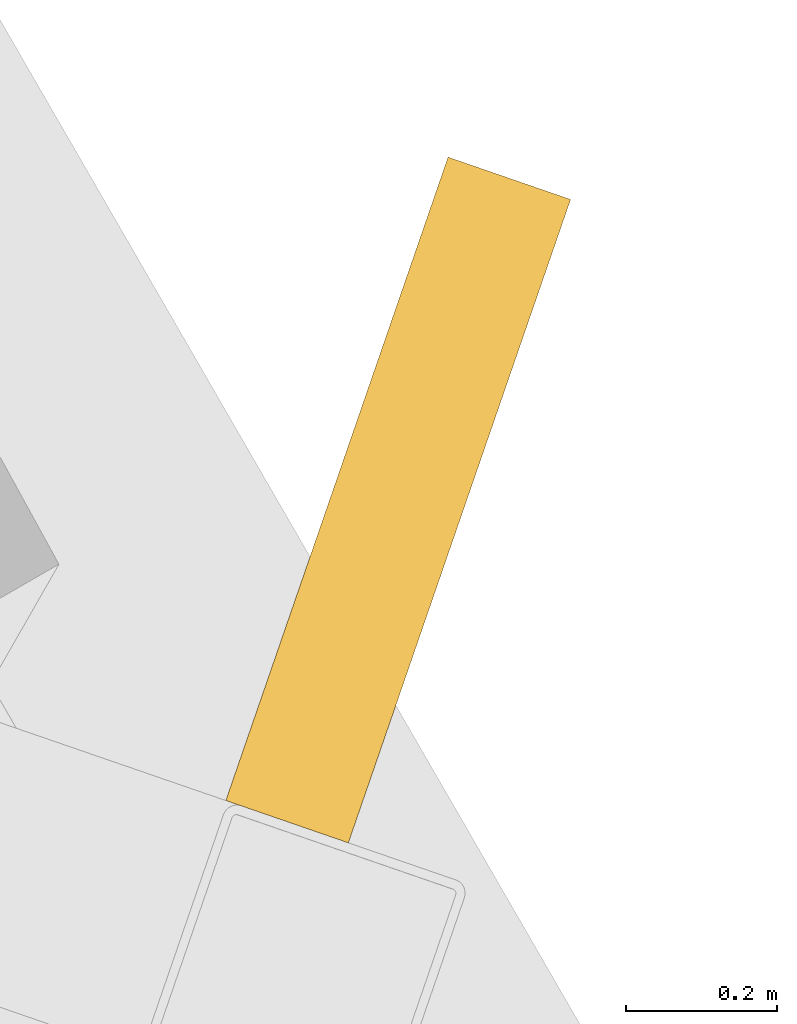
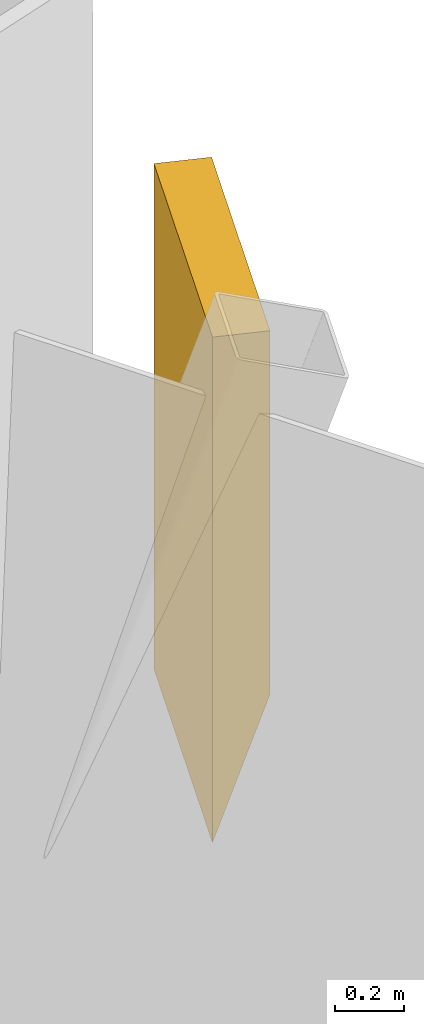
# One storey, part 15 of 15: 1 covering.
"""IFC4 building model written with IfcOpenShell, lengths in metres."""

from ifc_helpers import new_model, si_unit, direction, frame, origin, place, context, subcontext, project, spatial, polyline, outline, extrude, material, layer, layer_set, type_object, element, save


model = new_model("IFC4")

# Units and contexts
model_context = context("Model", 3, precision=1e-05, world=origin(), true_north=direction((0.0, 1.0)))
body_context = subcontext(model_context, "Body", "Model", "MODEL_VIEW")
ifc_project = project(units=[si_unit("LENGTHUNIT", "METRE"), si_unit("AREAUNIT", "SQUARE_METRE"), si_unit("VOLUMEUNIT", "CUBIC_METRE"), si_unit("PLANEANGLEUNIT", "RADIAN"), si_unit("MASSUNIT", "GRAM", prefix="KILO")], contexts=[model_context])

# Site, building, storey
site_placement = place(None, origin())
site = spatial("IfcSite", under=ifc_project, at=site_placement, CompositionType="ELEMENT")
building_placement = place(site_placement, origin())
building = spatial("IfcBuilding", under=site, at=building_placement, Name="Verrane Prism Tower", CompositionType="ELEMENT")
storey_placement = place(building_placement, frame((0.0, 0.0, 118.0)))
storey = spatial("IfcBuildingStorey", under=building, at=storey_placement, Name="L28", CompositionType="ELEMENT", Elevation=118.0)

# Covering
ifc_material = material(Name="Warm limestone cladding", Category="masonry")
ifc_layer = layer(ifc_material, 0.89990234375)
ifc_layer_set = layer_set([ifc_layer], Name="Stone brace fin 900")
covering_type = type_object("IfcCoveringType", Name="Stone brace fin 900", PredefinedType="CLADDING", material=ifc_layer_set)
covering_placement = place(storey_placement, frame((25.137451171875, 19.056884765625, 0.84765625), z_axis=(0.0, 0.0, 1.0), x_axis=(0.945206203954, -0.326473937716, 0.0)))
element("IfcCovering", 1, at=covering_placement, inside=storey, type_object=covering_type, Name="Stone brace fin NE1 L28", PredefinedType="CLADDING", context=body_context, shape_type="SweptSolid", body=[
    extrude(outline(polyline([(0.17138671875, 1.80224609375), (0.0, 1.80224609375), (0.0, 0.0), (0.17138671875, 0.50634765625), (0.17138671875, 1.80224609375)])), frame((0.0, 0.449951171875, 0.0), z_axis=(0.0, -1.0, 0.0), x_axis=(1.0, 0.0, 0.0)), (0.0, 0.0, 1.0), 0.89990234375),
])

save(model, "model.ifc")
